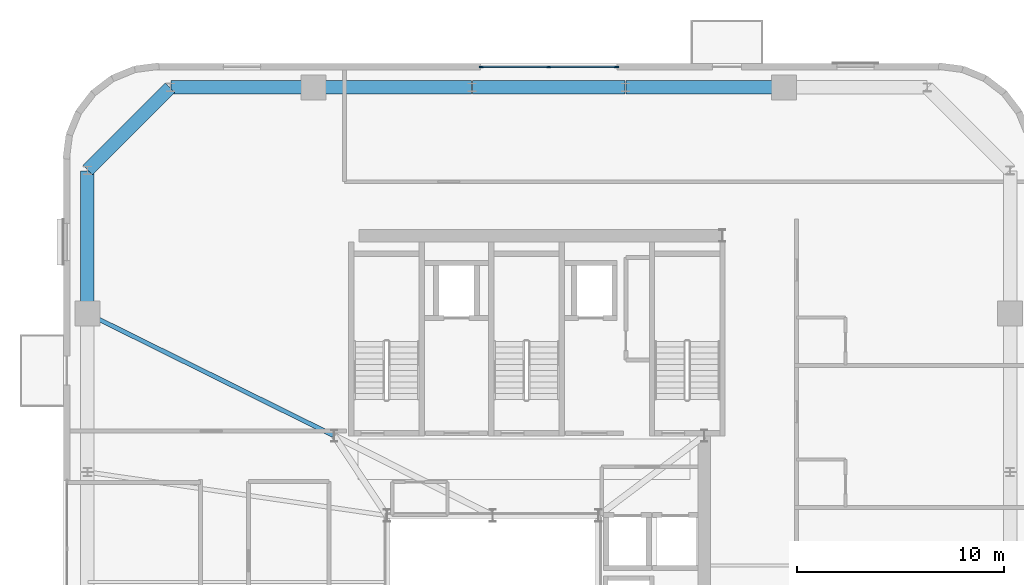
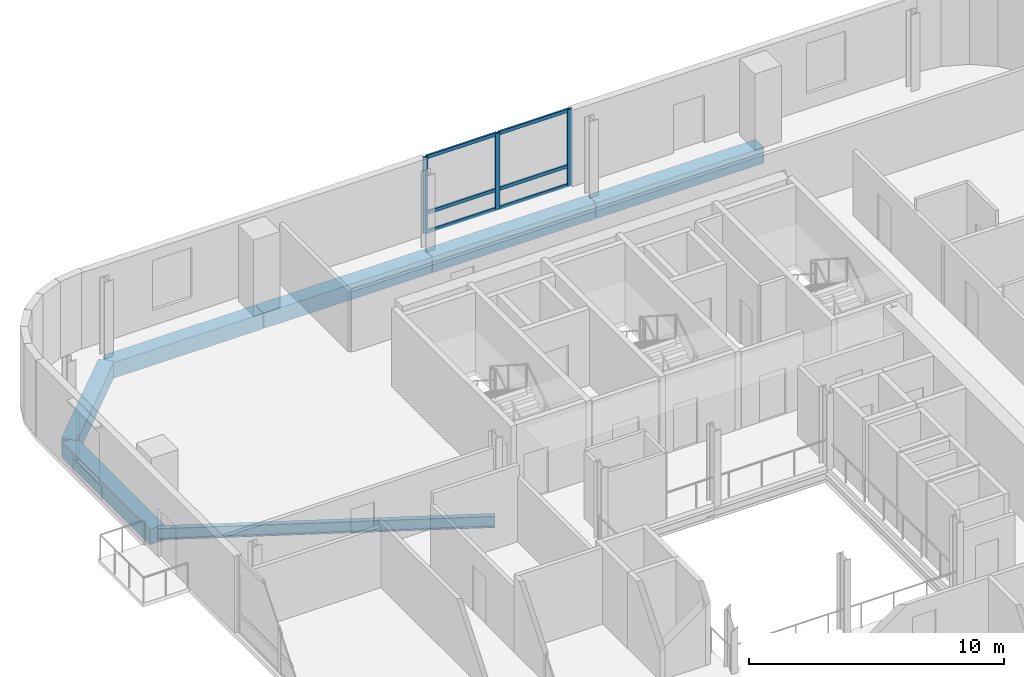
# One storey, part 6 of 15: 9 members, 7 beams, 1 element without a shape of its own.
"""IFC4 building model written with IfcOpenShell, lengths in metres."""

from ifc_helpers import new_model, si_unit, direction, frame, origin, origin_2d, place, context, subcontext, project, spatial, rectangle, i_section, extrude, source, transform, mapped, material, material_profile, profile_set, type_object, element, aggregate, save


model = new_model("IFC4")

# Units and contexts
model_context = context("Model", 3, precision=1e-05, world=origin(), true_north=direction((0.0, 1.0)))
body_context = subcontext(model_context, "Body", "Model", "MODEL_VIEW")
ifc_project = project(units=[si_unit("LENGTHUNIT", "METRE"), si_unit("AREAUNIT", "SQUARE_METRE"), si_unit("VOLUMEUNIT", "CUBIC_METRE"), si_unit("PLANEANGLEUNIT", "RADIAN"), si_unit("MASSUNIT", "GRAM", prefix="KILO")], contexts=[model_context])

# Site, building, storey
site_placement = place(None, origin())
site = spatial("IfcSite", under=ifc_project, at=site_placement, CompositionType="ELEMENT")
building_placement = place(site_placement, origin())
building = spatial("IfcBuilding", under=site, at=building_placement, Name="Vardaveli Station Tower", CompositionType="ELEMENT")
storey_placement = place(building_placement, frame((0.0, 0.0, 250.60009765625)))
storey = spatial("IfcBuildingStorey", under=building, at=storey_placement, Name="L64", CompositionType="ELEMENT", Elevation=250.60009765625)

# Beams
ifc_material_1 = material(Name="Precast concrete C45/55", Category="concrete")
ifc_material_profile_1 = material_profile(ifc_material_1, rectangle(XDim=0.64990234375, YDim=0.75, at=origin_2d()), Name="LPB 650x750")
ifc_profile_set_1 = profile_set([ifc_material_profile_1], Name="Precast concrete C45/55")
beam_type_1 = type_object("IfcBeamType", Name="BM-LPB-750", PredefinedType="BEAM", material=ifc_profile_set_1)
shared_shape_1 = source(origin(), body_context, "Body", "SweptSolid", [
    extrude(rectangle(XDim=0.64990234375, YDim=0.75, at=origin_2d()), origin(), (0.0, 0.0, 1.0), 7.60009765625),
])
for number, where, z_axis, x_axis, name in (
    (1, (50.320068359375, 47.449951171875, -0.59521484375), (-1.0, 0.0, 0.0), (0.0, -1.0, 0.0), "RBM-L64-13"),
    (2, (35.280029296875, 47.449951171875, -0.59521484375), (-1.0, 0.0, 0.0), (0.0, -1.0, 0.0), "RBM-L64-15"),
):
    element("IfcBeam", number, at=place(storey_placement, frame(where, z_axis=z_axis, x_axis=x_axis)), inside=storey, type_object=beam_type_1, Name=name, PredefinedType="BEAM", context=body_context, shape_type="MappedRepresentation", body=[
        mapped(shared_shape_1, transform((0.0, 0.0, 0.0), scale=1.0)),
    ])
shared_shape_2 = source(origin(), body_context, "Body", "SweptSolid", [
    extrude(rectangle(XDim=0.64990234375, YDim=0.75, at=origin_2d()), origin(), (0.0, 0.0, 1.0), 7.35986328125),
])
beam_1_placement = place(storey_placement, frame((42.679931640625, 47.449951171875, -0.59521484375), z_axis=(-1.0, 0.0, 0.0), x_axis=(0.0, -1.0, 0.0)))
element("IfcBeam", 3, at=beam_1_placement, inside=storey, type_object=beam_type_1, Name="RBM-L64-14", PredefinedType="BEAM", context=body_context, shape_type="MappedRepresentation", body=[
    mapped(shared_shape_2, transform((0.0, 0.0, 0.0), scale=1.0)),
])
shared_shape_3 = source(origin(), body_context, "Body", "SweptSolid", [
    extrude(rectangle(XDim=0.64990234375, YDim=0.75, at=origin_2d()), origin(), (0.0, 0.0, 1.0), 6.869873046875),
])
for number, where, z_axis, x_axis, name in (
    (4, (27.639892578125, 47.449951171875, -0.59521484375), (-1.0, 0.0, 0.0), (0.0, -1.0, 0.0), "RBM-L64-16"),
    (5, (16.75, 43.429931640625, -0.59521484375), (0.0, -1.0, 0.0), (1.0, 0.0, 0.0), "RBM-L64-18"),
):
    element("IfcBeam", number, at=place(storey_placement, frame(where, z_axis=z_axis, x_axis=x_axis)), inside=storey, type_object=beam_type_1, Name=name, PredefinedType="BEAM", context=body_context, shape_type="MappedRepresentation", body=[
        mapped(shared_shape_3, transform((0.0, 0.0, 0.0), scale=1.0)),
    ])
shared_shape_4 = source(origin(), body_context, "Body", "SweptSolid", [
    extrude(rectangle(XDim=0.64990234375, YDim=0.75, at=origin_2d()), origin(), (0.0, 0.0, 1.0), 5.61669921875),
])
beam_2_placement = place(storey_placement, frame((20.73583984375, 47.435791015625, -0.59521484375), z_axis=(-0.707106781187, -0.707106781187, 0.0), x_axis=(0.707106781187, -0.707106781187, 0.0)))
element("IfcBeam", 6, at=beam_2_placement, inside=storey, type_object=beam_type_1, Name="RBM-L64-17", PredefinedType="BEAM", context=body_context, shape_type="MappedRepresentation", body=[
    mapped(shared_shape_4, transform((0.0, 0.0, 0.0), scale=1.0)),
])
ifc_material_2 = material(Name="Structural steel S355J2", Category="steel")
ifc_material_profile_2 = material_profile(ifc_material_2, i_section(OverallWidth=0.2099609375, OverallDepth=0.550048828125, WebThickness=0.010986328125, FlangeThickness=0.01708984375, FilletRadius=0.02392578125, at=origin_2d()), Name="IPE 550")
ifc_profile_set_2 = profile_set([ifc_material_profile_2], Name="Structural steel S355J2")
beam_type_2 = type_object("IfcBeamType", Name="BM-IPE550", PredefinedType="BEAM", material=ifc_profile_set_2)
shared_shape_5 = source(origin(), body_context, "Body", "SweptSolid", [
    extrude(i_section(OverallWidth=0.2099609375, OverallDepth=0.550048828125, WebThickness=0.010986328125, FlangeThickness=0.01708984375, FilletRadius=0.02392578125, at=origin_2d()), origin(), (0.0, 0.0, 1.0), 13.238037109375),
])
beam_3_placement = place(storey_placement, frame((16.767822265625, 36.53125, -0.4951171875), z_axis=(0.896227242725, -0.443595231486, 0.0), x_axis=(0.443595231486, 0.896227242725, 0.0)))
element("IfcBeam", 7, at=beam_3_placement, inside=storey, type_object=beam_type_2, Name="GBM-L64-12", PredefinedType="BEAM", context=body_context, shape_type="MappedRepresentation", body=[
    mapped(shared_shape_5, transform((0.0, 0.0, 0.0), scale=1.0)),
])

# Curtain wall, members
ifc_material_3 = material(Name="Travertine stone and solar-control glass", Category="masonry")
curtain_wall_type = type_object("IfcCurtainWallType", Name="CW-SYS-5", PredefinedType="NOTDEFINED", material=ifc_material_3)
curtain_wall_placement = place(storey_placement, origin())
curtain_wall = element("IfcCurtainWall", 8, at=curtain_wall_placement, inside=storey, type_object=curtain_wall_type, Name="CW-L64-N", PredefinedType="NOTDEFINED")
ifc_material_4 = material(Name="Anodised aluminium alloy 6063-T6", Category="aluminium")
ifc_material_profile_3 = material_profile(ifc_material_4, rectangle(XDim=0.080078125, YDim=0.1650390625, at=origin_2d()), Name="CWT 80x165")
ifc_profile_set_3 = profile_set([ifc_material_profile_3], Name="Anodised aluminium alloy 6063-T6")
member_type_1 = type_object("IfcMemberType", Name="CW-SYS-5-TRAN", PredefinedType="NOTDEFINED", material=ifc_profile_set_3)
shared_shape_6 = source(origin(), body_context, "Body", "SweptSolid", [
    extrude(rectangle(XDim=0.080078125, YDim=0.1650390625, at=origin_2d()), origin(), (0.0, 0.0, 1.0), 3.179931640625),
])
member_1_placement = place(storey_placement, frame((42.219970703125, 48.43994140625, 0.039794921875), z_axis=(-1.0, 0.0, 0.0), x_axis=(0.0, -1.0, 0.0)))
member_1 = element("IfcMember", 9, at=member_1_placement, type_object=member_type_1, Name="CW-5 transom 1.1", ObjectType="TRANSOM", PredefinedType="USERDEFINED", context=body_context, shape_type="MappedRepresentation", body=[
    mapped(shared_shape_6, transform((0.0, 0.0, 0.0), scale=1.0)),
])
member_2_placement = place(storey_placement, frame((42.219970703125, 48.43994140625, 0.949951171875), z_axis=(-1.0, 0.0, 0.0), x_axis=(0.0, -1.0, 0.0)))
member_2 = element("IfcMember", 10, at=member_2_placement, type_object=member_type_1, Name="CW-5 transom 1.2", ObjectType="TRANSOM", PredefinedType="USERDEFINED", context=body_context, shape_type="MappedRepresentation", body=[
    mapped(shared_shape_6, transform((0.0, 0.0, 0.0), scale=1.0)),
])
member_3_placement = place(storey_placement, frame((42.219970703125, 48.43994140625, 3.60986328125), z_axis=(-1.0, 0.0, 0.0), x_axis=(0.0, -1.0, 0.0)))
member_3 = element("IfcMember", 11, at=member_3_placement, type_object=member_type_1, Name="CW-5 transom 1.3", ObjectType="TRANSOM", PredefinedType="USERDEFINED", context=body_context, shape_type="MappedRepresentation", body=[
    mapped(shared_shape_6, transform((0.0, 0.0, 0.0), scale=1.0)),
])
member_4_placement = place(storey_placement, frame((38.9599609375, 48.43994140625, 0.039794921875), z_axis=(-1.0, 0.0, 0.0), x_axis=(0.0, -1.0, 0.0)))
member_4 = element("IfcMember", 12, at=member_4_placement, type_object=member_type_1, Name="CW-5 transom 2.1", ObjectType="TRANSOM", PredefinedType="USERDEFINED", context=body_context, shape_type="MappedRepresentation", body=[
    mapped(shared_shape_6, transform((0.0, 0.0, 0.0), scale=1.0)),
])
member_5_placement = place(storey_placement, frame((38.9599609375, 48.43994140625, 0.949951171875), z_axis=(-1.0, 0.0, 0.0), x_axis=(0.0, -1.0, 0.0)))
member_5 = element("IfcMember", 13, at=member_5_placement, type_object=member_type_1, Name="CW-5 transom 2.2", ObjectType="TRANSOM", PredefinedType="USERDEFINED", context=body_context, shape_type="MappedRepresentation", body=[
    mapped(shared_shape_6, transform((0.0, 0.0, 0.0), scale=1.0)),
])
member_6_placement = place(storey_placement, frame((38.9599609375, 48.43994140625, 3.60986328125), z_axis=(-1.0, 0.0, 0.0), x_axis=(0.0, -1.0, 0.0)))
member_6 = element("IfcMember", 14, at=member_6_placement, type_object=member_type_1, Name="CW-5 transom 2.3", ObjectType="TRANSOM", PredefinedType="USERDEFINED", context=body_context, shape_type="MappedRepresentation", body=[
    mapped(shared_shape_6, transform((0.0, 0.0, 0.0), scale=1.0)),
])
ifc_material_profile_4 = material_profile(ifc_material_4, rectangle(XDim=0.080078125, YDim=0.205078125, at=origin_2d()), Name="CWM 80x205")
ifc_profile_set_4 = profile_set([ifc_material_profile_4], Name="Anodised aluminium alloy 6063-T6")
member_type_2 = type_object("IfcMemberType", Name="CW-SYS-5-MULL", PredefinedType="MULLION", material=ifc_profile_set_4)
shared_shape_7 = source(origin(), body_context, "Body", "SweptSolid", [
    extrude(rectangle(XDim=0.080078125, YDim=0.205078125, at=origin_2d()), origin(), (0.0, 0.0, 1.0), 3.64990234375),
])
member_7_placement = place(storey_placement, frame((42.260009765625, 48.43994140625, 0.0), z_axis=(0.0, 0.0, 1.0), x_axis=(0.0, -1.0, 0.0)))
member_7 = element("IfcMember", 15, at=member_7_placement, type_object=member_type_2, Name="CW-5 mullion 1", PredefinedType="MULLION", context=body_context, shape_type="MappedRepresentation", body=[
    mapped(shared_shape_7, transform((0.0, 0.0, 0.0), scale=1.0)),
])
member_8_placement = place(storey_placement, frame((39.0, 48.43994140625, 0.0), z_axis=(0.0, 0.0, 1.0), x_axis=(0.0, -1.0, 0.0)))
member_8 = element("IfcMember", 16, at=member_8_placement, type_object=member_type_2, Name="CW-5 mullion 2", PredefinedType="MULLION", context=body_context, shape_type="MappedRepresentation", body=[
    mapped(shared_shape_7, transform((0.0, 0.0, 0.0), scale=1.0)),
])
member_9_placement = place(storey_placement, frame((35.739990234375, 48.43994140625, 0.0), z_axis=(0.0, 0.0, 1.0), x_axis=(0.0, -1.0, 0.0)))
member_9 = element("IfcMember", 17, at=member_9_placement, type_object=member_type_2, Name="CW-5 mullion 3", PredefinedType="MULLION", context=body_context, shape_type="MappedRepresentation", body=[
    mapped(shared_shape_7, transform((0.0, 0.0, 0.0), scale=1.0)),
])
aggregate(curtain_wall, [member_7, member_8, member_9, member_1, member_2, member_3, member_4, member_5, member_6])

save(model, "model.ifc")
